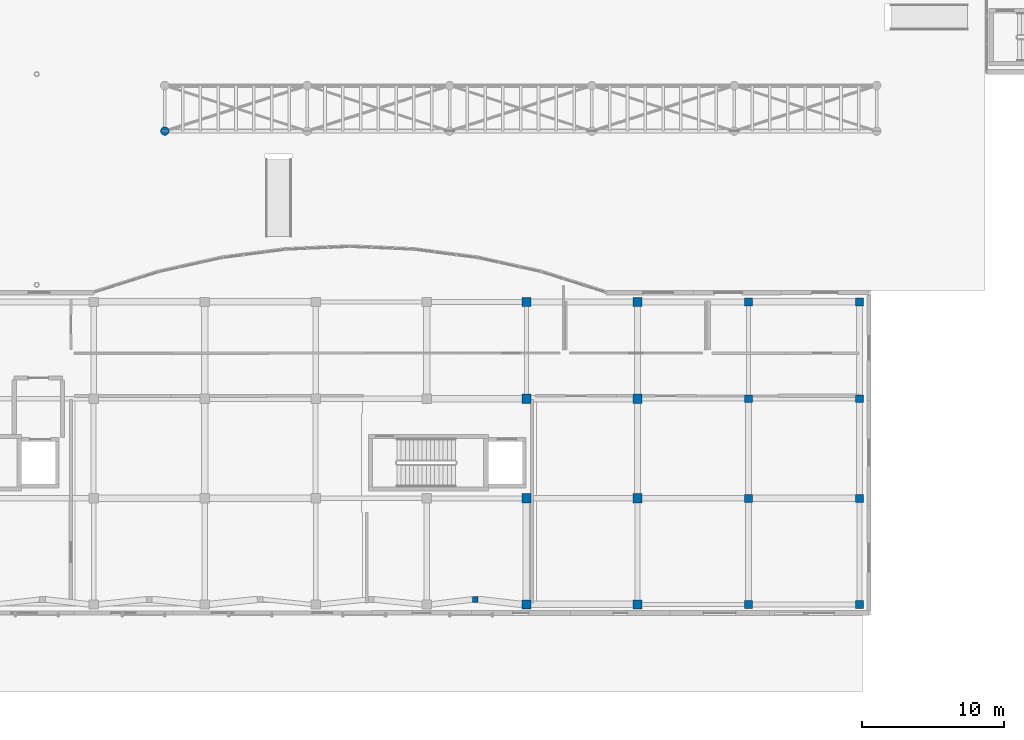
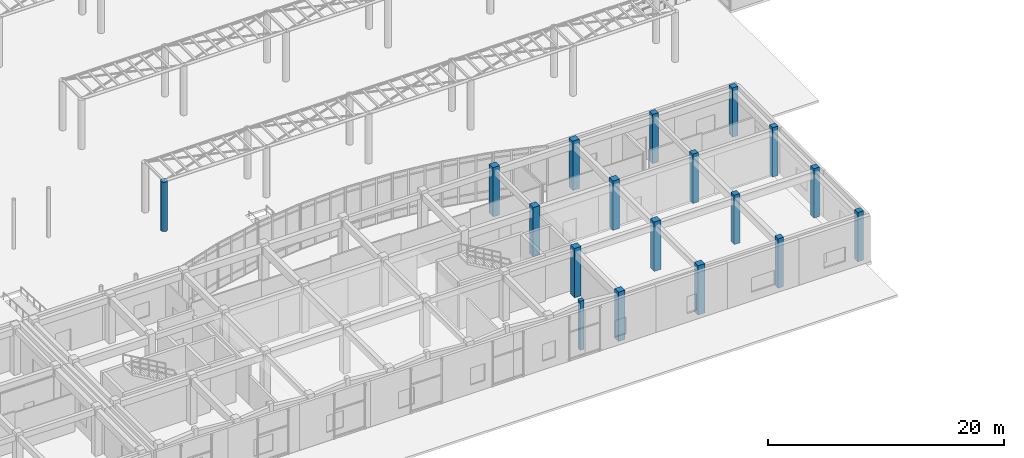
# One storey, part 8 of 121: 18 columns.
"""IFC4 building model written with IfcOpenShell, lengths in metres."""

from ifc_helpers import new_model, si_unit, direction, frame, origin, origin_2d, place, context, subcontext, project, spatial, rectangle, circle, extrude, material, material_profile, profile_set, type_object, element, save


model = new_model("IFC4")

# Units and contexts
model_context = context("Model", 3, precision=1e-05, world=origin(), true_north=direction((0.0, 1.0)))
body_context = subcontext(model_context, "Body", "Model", "MODEL_VIEW")
ifc_project = project(units=[si_unit("LENGTHUNIT", "METRE"), si_unit("AREAUNIT", "SQUARE_METRE"), si_unit("VOLUMEUNIT", "CUBIC_METRE"), si_unit("PLANEANGLEUNIT", "RADIAN"), si_unit("MASSUNIT", "GRAM", prefix="KILO")], contexts=[model_context])

# Site, building, storey
site_placement = place(None, origin())
site = spatial("IfcSite", under=ifc_project, at=site_placement, CompositionType="ELEMENT")
building_placement = place(site_placement, origin())
building = spatial("IfcBuilding", under=site, at=building_placement, Name="Valcora Specialist Clinic", CompositionType="ELEMENT")
storey_placement = place(building_placement, origin())
storey = spatial("IfcBuildingStorey", under=building, at=storey_placement, Name="L00", CompositionType="ELEMENT", Elevation=0.0)

# Columns
ifc_material = material(Name="Concrete C40/50", Category="concrete")
ifc_material_profile_1 = material_profile(ifc_material, rectangle(XDim=0.550048828125, YDim=0.550048828125, at=origin_2d()), Name="RC-COL-550X550")
ifc_profile_set_1 = profile_set([ifc_material_profile_1], Name="Concrete C40/50")
column_type_1 = type_object("IfcColumnType", Name="TY-COL-RC550", PredefinedType="COLUMN", material=ifc_profile_set_1)
for number, where, z_axis, x_axis, name in (
    (1, (115.0, 0.75, 0.0), (0.0, 0.0, 1.0), (1.0, 0.0, 0.0), "Column COL-L00-0920"),
    (2, (115.0, 8.199951171875, 0.0), (0.0, 0.0, 1.0), (1.0, 0.0, 0.0), "Column COL-L00-0924"),
    (3, (115.0, 15.199951171875, 0.0), (0.0, 0.0, 1.0), (1.0, 0.0, 0.0), "Column COL-L00-0928"),
    (4, (115.0, 22.0, 0.0), (0.0, 0.0, 1.0), (1.0, 0.0, 0.0), "Column COL-L00-0932"),
    (5, (122.800048828125, 0.75, 0.0), (0.0, 0.0, 1.0), (1.0, 0.0, 0.0), "Column COL-L00-0936"),
    (6, (122.800048828125, 8.199951171875, 0.0), (0.0, 0.0, 1.0), (1.0, 0.0, 0.0), "Column COL-L00-0939"),
    (7, (122.800048828125, 15.199951171875, 0.0), (0.0, 0.0, 1.0), (1.0, 0.0, 0.0), "Column COL-L00-0942"),
    (8, (122.800048828125, 22.0, 0.0), (0.0, 0.0, 1.0), (1.0, 0.0, 0.0), "Column COL-L00-0945"),
):
    element("IfcColumn", number, at=place(storey_placement, frame(where, z_axis=z_axis, x_axis=x_axis)), inside=storey, type_object=column_type_1, Name=name, PredefinedType="COLUMN", context=body_context, shape_type="SweptSolid", body=[
        extrude(rectangle(XDim=0.550048828125, YDim=0.550048828125, at=origin_2d()), origin(), (0.0, 0.0, 1.0), 5.10009765625),
    ])
ifc_material_profile_2 = material_profile(ifc_material, rectangle(XDim=0.64990234375, YDim=0.64990234375, at=origin_2d()), Name="RC-COL-650X650")
ifc_profile_set_2 = profile_set([ifc_material_profile_2], Name="Concrete C40/50")
column_type_2 = type_object("IfcColumnType", Name="TY-COL-RC650", PredefinedType="COLUMN", material=ifc_profile_set_2)
for number, where, z_axis, x_axis, name in (
    (9, (99.39990234375, 0.75, 0.0), (0.0, 0.0, 1.0), (1.0, 0.0, 0.0), "Column COL-L00-0877"),
    (10, (99.39990234375, 8.199951171875, 0.0), (0.0, 0.0, 1.0), (1.0, 0.0, 0.0), "Column COL-L00-0882"),
    (11, (99.39990234375, 15.199951171875, 0.0), (0.0, 0.0, 1.0), (1.0, 0.0, 0.0), "Column COL-L00-0888"),
    (12, (99.39990234375, 22.0, 0.0), (0.0, 0.0, 1.0), (1.0, 0.0, 0.0), "Column COL-L00-0894"),
    (13, (107.199951171875, 0.75, 0.0), (0.0, 0.0, 1.0), (1.0, 0.0, 0.0), "Column COL-L00-0900"),
    (14, (107.199951171875, 8.199951171875, 0.0), (0.0, 0.0, 1.0), (1.0, 0.0, 0.0), "Column COL-L00-0905"),
    (15, (107.199951171875, 15.199951171875, 0.0), (0.0, 0.0, 1.0), (1.0, 0.0, 0.0), "Column COL-L00-0910"),
    (16, (107.199951171875, 22.0, 0.0), (0.0, 0.0, 1.0), (1.0, 0.0, 0.0), "Column COL-L00-0915"),
):
    element("IfcColumn", number, at=place(storey_placement, frame(where, z_axis=z_axis, x_axis=x_axis)), inside=storey, type_object=column_type_2, Name=name, PredefinedType="COLUMN", context=body_context, shape_type="SweptSolid", body=[
        extrude(rectangle(XDim=0.64990234375, YDim=0.64990234375, at=origin_2d()), origin(), (0.0, 0.0, 1.0), 5.10009765625),
    ])
ifc_material_profile_3 = material_profile(ifc_material, circle(Radius=0.300048828125, at=origin_2d()), Name="RC-COL-D600")
ifc_profile_set_3 = profile_set([ifc_material_profile_3], Name="Concrete C40/50")
column_type_3 = type_object("IfcColumnType", Name="TY-COL-RCD600", PredefinedType="COLUMN", material=ifc_profile_set_3)
column_1_placement = place(storey_placement, frame((74.0, 34.0, 0.0), z_axis=(0.0, 0.0, 1.0), x_axis=(1.0, 0.0, 0.0)))
element("IfcColumn", 17, at=column_1_placement, inside=storey, type_object=column_type_3, Name="Column COL-L00-1115", PredefinedType="COLUMN", context=body_context, shape_type="SweptSolid", body=[
    extrude(circle(Radius=0.300048828125, at=origin_2d()), origin(), (0.0, 0.0, 1.0), 5.10009765625),
])
ifc_material_profile_4 = material_profile(ifc_material, rectangle(XDim=0.39990234375, YDim=0.39990234375, at=origin_2d()), Name="RC-COL-400X400")
ifc_profile_set_4 = profile_set([ifc_material_profile_4], Name="Concrete C40/50")
column_type_4 = type_object("IfcColumnType", Name="TY-PIL-RC400", PredefinedType="PILASTER", material=ifc_profile_set_4)
column_2_placement = place(storey_placement, frame((95.800048828125, 1.10009765625, 0.0), z_axis=(0.0, 0.0, 1.0), x_axis=(1.0, 0.0, 0.0)))
element("IfcColumn", 18, at=column_2_placement, inside=storey, type_object=column_type_4, Name="Column COL-L00-1075", PredefinedType="PILASTER", context=body_context, shape_type="SweptSolid", body=[
    extrude(rectangle(XDim=0.39990234375, YDim=0.39990234375, at=origin_2d()), origin(), (0.0, 0.0, 1.0), 5.10009765625),
])

save(model, "model.ifc")
